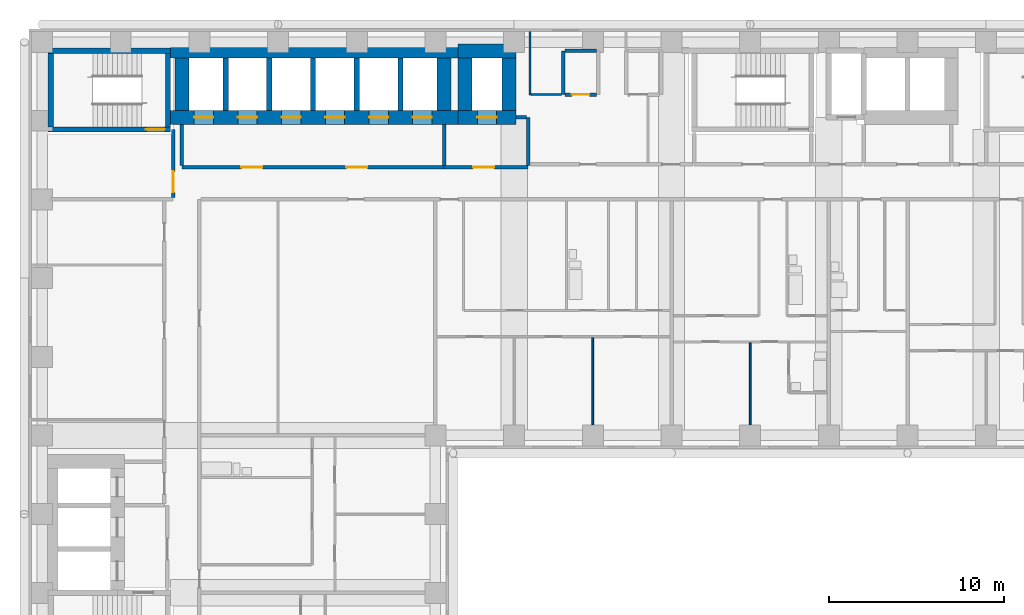
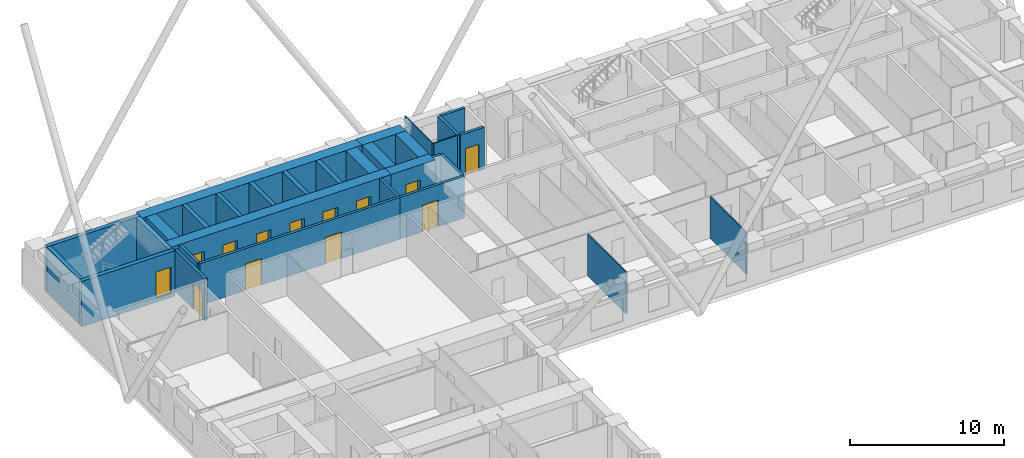
# One storey, part 6 of 13: 31 walls, 13 doors, 13 openings.
"""IFC4 building model written with IfcOpenShell, lengths in metres."""

import ifcopenshell
import ifcopenshell.guid

model = None  # the IFC model being written
_history = None  # IfcOwnerHistory: only IFC2X3 demands one
_inside = {}  # id of a spatial element -> (the spatial element, [elements in it])
_under = {}  # id of a project, library or spatial element -> (it, [spatial elements below it])
_declared = {}  # id of a project -> (the project, [libraries it declares])
_typed = {}  # id of a type object -> (the type object, [elements of that type])
_made_of = {}  # id of a material, layer set ... -> (it, [elements and type objects made of it])


def new_model(schema):
    """Start an empty IFC model of exactly this schema.

    Asked for "IFC4X3", IfcOpenShell would pick the latest addendum, in which some entities
    have other attributes; the version numbers below select the first issue.
    IFC2X3 requires an IfcOwnerHistory on every rooted entity: one is made here for all.
    """
    global model, _history
    if schema == "IFC4X3":
        model = ifcopenshell.file(schema_version=(4, 3, 0, 0))
    else:
        model = ifcopenshell.file(schema=schema)
    _inside.clear()
    _under.clear()
    _declared.clear()
    _typed.clear()
    _made_of.clear()
    _history = None
    if model.schema == "IFC2X3":
        org = make("IfcOrganization", Name="unknown")
        user = make(
            "IfcPersonAndOrganization",
            ThePerson=make("IfcPerson", FamilyName="unknown"),
            TheOrganization=org,
        )
        app = make(
            "IfcApplication",
            ApplicationDeveloper=org,
            Version="unknown",
            ApplicationFullName="unknown",
            ApplicationIdentifier="unknown",
        )
        _history = make(
            "IfcOwnerHistory",
            OwningUser=user,
            OwningApplication=app,
            ChangeAction="ADDED",
            CreationDate=0,
        )
    return model


def make(cls, **values):
    """One entity of the class cls with the attributes given. An attribute that is None is left unset."""
    return model.create_entity(
        cls, **{name: value for name, value in values.items() if value is not None}
    )


def rooted(cls, **values):
    """An entity with a GlobalId (a new one), such as an element, a storey or a relation."""
    return make(cls, GlobalId=ifcopenshell.guid.new(), OwnerHistory=_history, **values)


def si_unit(unit_type, name, prefix=None):
    """IfcSIUnit, for example si_unit("LENGTHUNIT", "METRE", prefix="MILLI")."""
    return make("IfcSIUnit", UnitType=unit_type, Prefix=prefix, Name=name)


def assignment(units):
    """IfcUnitAssignment: the units of a project."""
    return None if units is None else make("IfcUnitAssignment", Units=units)


def point(xyz):
    """IfcCartesianPoint."""
    return None if xyz is None else make("IfcCartesianPoint", Coordinates=xyz)


def direction(xyz):
    """IfcDirection."""
    return None if xyz is None else make("IfcDirection", DirectionRatios=xyz)


def frame(location, z_axis=None, x_axis=None):
    """IfcAxis2Placement3D, a coordinate frame: its origin and axes. An axis left out is left unset."""
    return make(
        "IfcAxis2Placement3D",
        Location=point(location),
        Axis=direction(z_axis),
        RefDirection=direction(x_axis),
    )


def frame_2d(location, x_axis=None):
    """IfcAxis2Placement2D, a coordinate frame in the plane: its origin and x axis."""
    return make(
        "IfcAxis2Placement2D", Location=point(location), RefDirection=direction(x_axis)
    )


def origin():
    """The frame at (0, 0, 0) with its axes left unset."""
    return frame((0.0, 0.0, 0.0))


def place(relative_to, where):
    """IfcLocalPlacement: puts the frame where relative to a parent placement (None: the world)."""
    return make(
        "IfcLocalPlacement", PlacementRelTo=relative_to, RelativePlacement=where
    )


def context(
    kind, dimensions, precision=None, world=None, true_north=None, identifier=None
):
    """IfcGeometricRepresentationContext, for example the 3D "Model" context."""
    return make(
        "IfcGeometricRepresentationContext",
        ContextIdentifier=identifier,
        ContextType=kind,
        CoordinateSpaceDimension=dimensions,
        Precision=precision,
        WorldCoordinateSystem=world,
        TrueNorth=true_north,
    )


def subcontext(parent, identifier, kind, view, scale=None):
    """IfcGeometricRepresentationSubContext, for example "Body" below "Model"."""
    return make(
        "IfcGeometricRepresentationSubContext",
        ContextIdentifier=identifier,
        ContextType=kind,
        ParentContext=parent,
        TargetScale=scale,
        TargetView=view,
    )


def project(units=None, contexts=None):
    """IfcProject with its units and contexts."""
    return rooted(
        "IfcProject",
        Name="project",
        RepresentationContexts=contexts,
        UnitsInContext=assignment(units),
    )


def spatial(cls, under=None, at=None, **own):
    """A site, building, storey or space (cls), placed at a placement, below another one or the project."""
    s = rooted(cls, ObjectPlacement=at, **own)
    if under is not None:
        _under.setdefault(under.id(), (under, []))[1].append(s)
    return s


def profile(cls, at=None, kind="AREA", **sizes):
    """A parametric profile (cls). Its sizes go by their IFC names, for example OverallWidth=200.0."""
    return make(cls, ProfileType=kind, Position=at, **sizes)


def rectangle(**sizes):
    """IfcRectangleProfileDef."""
    return profile("IfcRectangleProfileDef", **sizes)


def extrude(swept, where, along, depth):
    """IfcExtrudedAreaSolid: the profile swept, set in the frame where, extruded along a direction by depth."""
    return make(
        "IfcExtrudedAreaSolid",
        SweptArea=swept,
        Position=where,
        ExtrudedDirection=direction(along),
        Depth=depth,
    )


def shape(context_of_items, identifier, shape_type, items):
    """IfcShapeRepresentation: the items that make up one representation, for example the "Body"."""
    return make(
        "IfcShapeRepresentation",
        ContextOfItems=context_of_items,
        RepresentationIdentifier=identifier,
        RepresentationType=shape_type,
        Items=items,
    )


def material(Name=None, Category=None):
    """IfcMaterial."""
    return make("IfcMaterial", Name=Name, Category=Category)


def layer(
    of_material, thickness, ventilated=None, Name=None, Category=None, Priority=None
):
    """IfcMaterialLayer: one layer of a wall or slab, of a material (None: an air gap)."""
    return make(
        "IfcMaterialLayer",
        Material=of_material,
        LayerThickness=thickness,
        IsVentilated=ventilated,
        Name=Name,
        Category=Category,
        Priority=Priority,
    )


def layer_set(layers, Name=None):
    """IfcMaterialLayerSet."""
    return make("IfcMaterialLayerSet", MaterialLayers=layers, LayerSetName=Name)


def made_of(thing, what):
    """Note that an element or type object is made of a material, layer set ...; save() writes the relation."""
    if what is not None:
        _made_of.setdefault(what.id(), (what, []))[1].append(thing)
    return thing


def type_object(cls, material=None, **own):
    """A type object (cls), such as IfcWallType, which elements share."""
    return made_of(rooted(cls, **own), material)


def element(
    cls,
    number,
    at=None,
    inside=None,
    cuts=None,
    type_object=None,
    material=None,
    context=None,
    identifier="Body",
    shape_type=None,
    held_by="IfcProductDefinitionShape",
    body=None,
    shapes=None,
    **own,
):
    """One element of the class cls, such as IfcWall. Its Tag is "e" and its number.

    at: its placement. inside: the storey or other place that contains it. cuts: it is an
    opening in that element (IfcRelVoidsElement). A single representation is given by context,
    identifier, shape_type and body (its items); several are given by shapes. held_by: the class
    of the entity that holds the representations. save() writes the other relations.
    """
    e = rooted(cls, Tag="e%d" % number, ObjectPlacement=at, **own)
    if body is not None:
        shapes = [shape(context, identifier, shape_type, body)]
    if shapes is not None:
        e.Representation = make(held_by, Representations=shapes)
    if inside is not None:
        _inside.setdefault(inside.id(), (inside, []))[1].append(e)
    if cuts is not None:
        rooted(
            "IfcRelVoidsElement", RelatingBuildingElement=cuts, RelatedOpeningElement=e
        )
    if type_object is not None:
        _typed.setdefault(type_object.id(), (type_object, []))[1].append(e)
    return made_of(e, material)


def fill(opening, filler):
    """IfcRelFillsElement: the door or window that sits in an opening."""
    return rooted(
        "IfcRelFillsElement",
        RelatingOpeningElement=opening,
        RelatedBuildingElement=filler,
    )


def aggregate(whole, parts):
    """IfcRelAggregates: a whole, such as a stair, and the parts it consists of."""
    return rooted("IfcRelAggregates", RelatingObject=whole, RelatedObjects=parts)


def save(model, path):
    """Write the relations noted so far, then the file.

    IfcRelAggregates (storeys below a building ...), IfcRelContainedInSpatialStructure (elements
    in a storey), IfcRelDefinesByType, IfcRelAssociatesMaterial and IfcRelDeclares: one each for
    every whole, place, type object, material and project.
    """
    for whole, parts in _under.values():
        aggregate(whole, parts)
    for where, things in _inside.values():
        rooted(
            "IfcRelContainedInSpatialStructure",
            RelatedElements=things,
            RelatingStructure=where,
        )
    for kind, things in _typed.values():
        rooted("IfcRelDefinesByType", RelatedObjects=things, RelatingType=kind)
    for what, things in _made_of.values():
        rooted("IfcRelAssociatesMaterial", RelatedObjects=things, RelatingMaterial=what)
    for by, libraries in _declared.values():
        rooted("IfcRelDeclares", RelatingContext=by, RelatedDefinitions=libraries)
    model.write(path)


model = new_model("IFC4")

# Units and contexts
model_context = context("Model", 3, precision=1e-05, world=origin(), true_north=direction((0.0, 1.0)))
body_context = subcontext(model_context, "Body", "Model", "MODEL_VIEW")
ifc_project = project(units=[si_unit("LENGTHUNIT", "METRE"), si_unit("AREAUNIT", "SQUARE_METRE"), si_unit("VOLUMEUNIT", "CUBIC_METRE"), si_unit("PLANEANGLEUNIT", "RADIAN"), si_unit("MASSUNIT", "GRAM", prefix="KILO")], contexts=[model_context])

# Site, building, storey
site_placement = place(None, origin())
site = spatial("IfcSite", under=ifc_project, at=site_placement, CompositionType="ELEMENT")
building_placement = place(site_placement, origin())
building = spatial("IfcBuilding", under=site, at=building_placement, Name="Firuza Court", CompositionType="ELEMENT")
storey_placement = place(building_placement, frame((0.0, 0.0, 72.199951171875)))
storey = spatial("IfcBuildingStorey", under=building, at=storey_placement, Name="L17", CompositionType="ELEMENT", Elevation=72.199951171875)

# Wall, opening, door
ifc_material_1 = material(Name="Concrete C60/75", Category="concrete")
ifc_layer_1 = layer(ifc_material_1, 0.300048828125)
ifc_layer_set_1 = layer_set([ifc_layer_1], Name="Concrete C60/75")
wall_type_1 = type_object("IfcWallType", Name="Core wall 300 C60/75", PredefinedType="SHEAR", material=ifc_layer_set_1)
wall_1_placement = place(storey_placement, frame((0.35009765625, 53.5, -0.300048828125), z_axis=(0.0, 0.0, 1.0), x_axis=(1.0, 0.0, 0.0)))
wall_1 = element("IfcWall", 1, at=wall_1_placement, inside=storey, type_object=wall_type_1, Name="Core wall stair L17", PredefinedType="SHEAR", context=body_context, shape_type="SweptSolid", body=[
    extrude(rectangle(XDim=7.0, YDim=0.300048828125, at=frame_2d((3.5, 0.0))), origin(), (0.0, 0.0, 1.0), 3.60009765625),
])
opening_1_placement = place(wall_1_placement, frame((5.580078125, 0.0, 0.300048828125)))
opening_1 = element("IfcOpeningElement", 2, at=opening_1_placement, cuts=wall_1, Name="Opening D17016", PredefinedType="OPENING", context=body_context, shape_type="SweptSolid", body=[
    extrude(rectangle(XDim=1.10009765625, YDim=2.10009765625, at=frame_2d((0.550048828125, 1.050048828125))), frame((0.0, 0.162109375, 0.0), z_axis=(0.0, -1.0, 0.0), x_axis=(1.0, 0.0, 0.0)), (0.0, 0.0, 1.0), 0.323974609375),
])
ifc_material_2 = material(Name="Timber door leaf in hardwood frame", Category="wood")
door_type_1 = type_object("IfcDoorType", Name="Stair door 1100", OperationType="SINGLE_SWING_LEFT", PredefinedType="DOOR", material=ifc_material_2)
door_1_placement = place(opening_1_placement, origin())
door_1 = element("IfcDoor", 3, at=door_1_placement, inside=storey, type_object=door_type_1, Name="Stair door S3", OperationType="SINGLE_SWING_RIGHT", OverallHeight=2.10009765625, OverallWidth=1.10009765625, PredefinedType="DOOR", context=body_context, shape_type="SweptSolid", body=[
    extrude(rectangle(XDim=1.10009765625, YDim=2.10009765625, at=frame_2d((0.550048828125, 1.050048828125))), frame((0.0, 0.02490234375, 0.0), z_axis=(0.0, -1.0, 0.0), x_axis=(1.0, 0.0, 0.0)), (0.0, 0.0, 1.0), 0.050048828125),
])
fill(opening_1, door_1)

# Walls
wall_2_placement = place(storey_placement, frame((0.35009765625, 58.0, -0.300048828125), z_axis=(0.0, 0.0, 1.0), x_axis=(1.0, 0.0, 0.0)))
element("IfcWall", 4, at=wall_2_placement, inside=storey, type_object=wall_type_1, Name="Core wall stair L17", PredefinedType="SHEAR", context=body_context, shape_type="SweptSolid", body=[
    extrude(rectangle(XDim=7.0, YDim=0.300048828125, at=frame_2d((3.5, 0.0))), origin(), (0.0, 0.0, 1.0), 3.60009765625),
])
for number, where, z_axis, x_axis, name in (
    (5, (0.5, 53.64990234375, -0.300048828125), (0.0, 0.0, 1.0), (0.0, 1.0, 0.0), "Core wall stair L17"),
    (6, (7.199951171875, 53.64990234375, -0.300048828125), (0.0, 0.0, 1.0), (0.0, 1.0, 0.0), "Core wall stair L17"),
):
    element("IfcWall", number, at=place(storey_placement, frame(where, z_axis=z_axis, x_axis=x_axis)), inside=storey, type_object=wall_type_1, Name=name, PredefinedType="SHEAR", context=body_context, shape_type="SweptSolid", body=[
        extrude(rectangle(XDim=4.2001953125, YDim=0.300048828125, at=frame_2d((2.10009765625, 0.0))), origin(), (0.0, 0.0, 1.0), 3.60009765625),
    ])
for number, where, z_axis, x_axis, name in (
    (7, (10.5, 54.60009765625, -0.300048828125), (0.0, 0.0, 1.0), (0.0, 1.0, 0.0), "Core wall lift shaft L17"),
    (8, (13.0, 54.60009765625, -0.300048828125), (0.0, 0.0, 1.0), (0.0, 1.0, 0.0), "Core wall lift shaft L17"),
    (9, (15.5, 54.60009765625, -0.300048828125), (0.0, 0.0, 1.0), (0.0, 1.0, 0.0), "Core wall lift shaft L17"),
    (10, (18.0, 54.60009765625, -0.300048828125), (0.0, 0.0, 1.0), (0.0, 1.0, 0.0), "Core wall lift shaft L17"),
    (11, (20.5, 54.60009765625, -0.300048828125), (0.0, 0.0, 1.0), (0.0, 1.0, 0.0), "Core wall lift shaft L17"),
):
    element("IfcWall", number, at=place(storey_placement, frame(where, z_axis=z_axis, x_axis=x_axis)), inside=storey, type_object=wall_type_1, Name=name, PredefinedType="SHEAR", context=body_context, shape_type="SweptSolid", body=[
        extrude(rectangle(XDim=3.0, YDim=0.300048828125, at=frame_2d((1.5, 0.0))), origin(), (0.0, 0.0, 1.0), 3.60009765625),
    ])

# Wall, openings, doors
ifc_layer_2 = layer(ifc_material_1, 0.800048828125)
ifc_layer_set_2 = layer_set([ifc_layer_2], Name="Concrete C60/75")
wall_type_2 = type_object("IfcWallType", Name="Core wall 800 C60/75", PredefinedType="SHEAR", material=ifc_layer_set_2)
wall_3_placement = place(storey_placement, frame((7.35009765625, 54.199951171875, -0.300048828125), z_axis=(0.0, 0.0, 1.0), x_axis=(1.0, 0.0, 0.0)))
wall_3 = element("IfcWall", 12, at=wall_3_placement, inside=storey, type_object=wall_type_2, Name="Core wall lift shaft L17", PredefinedType="SHEAR", context=body_context, shape_type="SweptSolid", body=[
    extrude(rectangle(XDim=16.449951171875, YDim=0.800048828125, at=frame_2d((8.22509765625, 0.0))), origin(), (0.0, 0.0, 1.0), 3.60009765625),
])
opening_2_placement = place(wall_3_placement, frame((1.35009765625, 0.0, 0.300048828125)))
opening_2 = element("IfcOpeningElement", 13, at=opening_2_placement, cuts=wall_3, Name="Opening LD-LB1-17", PredefinedType="OPENING", context=body_context, shape_type="SweptSolid", body=[
    extrude(rectangle(XDim=1.10009765625, YDim=2.10009765625, at=frame_2d((0.550048828125, 1.050048828125))), frame((0.0, 0.412109375, 0.0), z_axis=(0.0, -1.0, 0.0), x_axis=(1.0, 0.0, 0.0)), (0.0, 0.0, 1.0), 0.823974609375),
])
opening_3_placement = place(wall_3_placement, frame((3.85009765625, 0.0, 0.300048828125)))
opening_3 = element("IfcOpeningElement", 14, at=opening_3_placement, cuts=wall_3, Name="Opening LD-LB2-17", PredefinedType="OPENING", context=body_context, shape_type="SweptSolid", body=[
    extrude(rectangle(XDim=1.10009765625, YDim=2.10009765625, at=frame_2d((0.550048828125, 1.050048828125))), frame((0.0, 0.412109375, 0.0), z_axis=(0.0, -1.0, 0.0), x_axis=(1.0, 0.0, 0.0)), (0.0, 0.0, 1.0), 0.823974609375),
])
opening_4_placement = place(wall_3_placement, frame((6.35009765625, 0.0, 0.300048828125)))
opening_4 = element("IfcOpeningElement", 15, at=opening_4_placement, cuts=wall_3, Name="Opening LD-LB3-17", PredefinedType="OPENING", context=body_context, shape_type="SweptSolid", body=[
    extrude(rectangle(XDim=1.10009765625, YDim=2.10009765625, at=frame_2d((0.550048828125, 1.050048828125))), frame((0.0, 0.412109375, 0.0), z_axis=(0.0, -1.0, 0.0), x_axis=(1.0, 0.0, 0.0)), (0.0, 0.0, 1.0), 0.823974609375),
])
opening_5_placement = place(wall_3_placement, frame((8.85009765625, 0.0, 0.300048828125)))
opening_5 = element("IfcOpeningElement", 16, at=opening_5_placement, cuts=wall_3, Name="Opening LD-LB4-17", PredefinedType="OPENING", context=body_context, shape_type="SweptSolid", body=[
    extrude(rectangle(XDim=1.10009765625, YDim=2.10009765625, at=frame_2d((0.550048828125, 1.050048828125))), frame((0.0, 0.412109375, 0.0), z_axis=(0.0, -1.0, 0.0), x_axis=(1.0, 0.0, 0.0)), (0.0, 0.0, 1.0), 0.823974609375),
])
opening_6_placement = place(wall_3_placement, frame((11.35009765625, 0.0, 0.300048828125)))
opening_6 = element("IfcOpeningElement", 17, at=opening_6_placement, cuts=wall_3, Name="Opening LD-LB5-17", PredefinedType="OPENING", context=body_context, shape_type="SweptSolid", body=[
    extrude(rectangle(XDim=1.10009765625, YDim=2.10009765625, at=frame_2d((0.550048828125, 1.050048828125))), frame((0.0, 0.412109375, 0.0), z_axis=(0.0, -1.0, 0.0), x_axis=(1.0, 0.0, 0.0)), (0.0, 0.0, 1.0), 0.823974609375),
])
opening_7_placement = place(wall_3_placement, frame((13.85009765625, 0.0, 0.300048828125)))
opening_7 = element("IfcOpeningElement", 18, at=opening_7_placement, cuts=wall_3, Name="Opening LD-LB6-17", PredefinedType="OPENING", context=body_context, shape_type="SweptSolid", body=[
    extrude(rectangle(XDim=1.10009765625, YDim=2.10009765625, at=frame_2d((0.550048828125, 1.050048828125))), frame((0.0, 0.412109375, 0.0), z_axis=(0.0, -1.0, 0.0), x_axis=(1.0, 0.0, 0.0)), (0.0, 0.0, 1.0), 0.823974609375),
])
ifc_material_3 = material(Name="Stainless steel 1.4301 door leaf", Category="steel")
door_type_2 = type_object("IfcDoorType", Name="Lift landing door 1100", OperationType="SLIDING_TO_LEFT", PredefinedType="DOOR", material=ifc_material_3)
door_2_placement = place(opening_2_placement, origin())
door_2 = element("IfcDoor", 19, at=door_2_placement, inside=storey, type_object=door_type_2, Name="Landing door LB1", OperationType="SLIDING_TO_LEFT", OverallHeight=2.10009765625, OverallWidth=1.10009765625, PredefinedType="DOOR", context=body_context, shape_type="SweptSolid", body=[
    extrude(rectangle(XDim=1.10009765625, YDim=2.10009765625, at=frame_2d((0.550048828125, 1.050048828125))), frame((0.0, 0.02490234375, 0.0), z_axis=(0.0, -1.0, 0.0), x_axis=(1.0, 0.0, 0.0)), (0.0, 0.0, 1.0), 0.050048828125),
])
fill(opening_2, door_2)
door_3_placement = place(opening_3_placement, origin())
door_3 = element("IfcDoor", 20, at=door_3_placement, inside=storey, type_object=door_type_2, Name="Landing door LB2", OperationType="SLIDING_TO_LEFT", OverallHeight=2.10009765625, OverallWidth=1.10009765625, PredefinedType="DOOR", context=body_context, shape_type="SweptSolid", body=[
    extrude(rectangle(XDim=1.10009765625, YDim=2.10009765625, at=frame_2d((0.550048828125, 1.050048828125))), frame((0.0, 0.02490234375, 0.0), z_axis=(0.0, -1.0, 0.0), x_axis=(1.0, 0.0, 0.0)), (0.0, 0.0, 1.0), 0.050048828125),
])
fill(opening_3, door_3)
door_4_placement = place(opening_4_placement, origin())
door_4 = element("IfcDoor", 21, at=door_4_placement, inside=storey, type_object=door_type_2, Name="Landing door LB3", OperationType="SLIDING_TO_LEFT", OverallHeight=2.10009765625, OverallWidth=1.10009765625, PredefinedType="DOOR", context=body_context, shape_type="SweptSolid", body=[
    extrude(rectangle(XDim=1.10009765625, YDim=2.10009765625, at=frame_2d((0.550048828125, 1.050048828125))), frame((0.0, 0.02490234375, 0.0), z_axis=(0.0, -1.0, 0.0), x_axis=(1.0, 0.0, 0.0)), (0.0, 0.0, 1.0), 0.050048828125),
])
fill(opening_4, door_4)
door_5_placement = place(opening_5_placement, origin())
door_5 = element("IfcDoor", 22, at=door_5_placement, inside=storey, type_object=door_type_2, Name="Landing door LB4", OperationType="SLIDING_TO_LEFT", OverallHeight=2.10009765625, OverallWidth=1.10009765625, PredefinedType="DOOR", context=body_context, shape_type="SweptSolid", body=[
    extrude(rectangle(XDim=1.10009765625, YDim=2.10009765625, at=frame_2d((0.550048828125, 1.050048828125))), frame((0.0, 0.02490234375, 0.0), z_axis=(0.0, -1.0, 0.0), x_axis=(1.0, 0.0, 0.0)), (0.0, 0.0, 1.0), 0.050048828125),
])
fill(opening_5, door_5)
door_6_placement = place(opening_6_placement, origin())
door_6 = element("IfcDoor", 23, at=door_6_placement, inside=storey, type_object=door_type_2, Name="Landing door LB5", OperationType="SLIDING_TO_LEFT", OverallHeight=2.10009765625, OverallWidth=1.10009765625, PredefinedType="DOOR", context=body_context, shape_type="SweptSolid", body=[
    extrude(rectangle(XDim=1.10009765625, YDim=2.10009765625, at=frame_2d((0.550048828125, 1.050048828125))), frame((0.0, 0.02490234375, 0.0), z_axis=(0.0, -1.0, 0.0), x_axis=(1.0, 0.0, 0.0)), (0.0, 0.0, 1.0), 0.050048828125),
])
fill(opening_6, door_6)
door_7_placement = place(opening_7_placement, origin())
door_7 = element("IfcDoor", 24, at=door_7_placement, inside=storey, type_object=door_type_2, Name="Landing door LB6", OperationType="SLIDING_TO_LEFT", OverallHeight=2.10009765625, OverallWidth=1.10009765625, PredefinedType="DOOR", context=body_context, shape_type="SweptSolid", body=[
    extrude(rectangle(XDim=1.10009765625, YDim=2.10009765625, at=frame_2d((0.550048828125, 1.050048828125))), frame((0.0, 0.02490234375, 0.0), z_axis=(0.0, -1.0, 0.0), x_axis=(1.0, 0.0, 0.0)), (0.0, 0.0, 1.0), 0.050048828125),
])
fill(opening_7, door_7)

# Walls
wall_4_placement = place(storey_placement, frame((7.35009765625, 58.0, -0.300048828125), z_axis=(0.0, 0.0, 1.0), x_axis=(1.0, 0.0, 0.0)))
element("IfcWall", 25, at=wall_4_placement, inside=storey, type_object=wall_type_2, Name="Core wall lift shaft L17", PredefinedType="SHEAR", context=body_context, shape_type="SweptSolid", body=[
    extrude(rectangle(XDim=16.449951171875, YDim=0.800048828125, at=frame_2d((8.22509765625, 0.0))), origin(), (0.0, 0.0, 1.0), 3.60009765625),
])
for number, where, z_axis, x_axis, name in (
    (26, (8.0, 54.60009765625, -0.300048828125), (0.0, 0.0, 1.0), (0.0, 1.0, 0.0), "Core wall lift shaft L17"),
    (27, (23.0, 54.60009765625, -0.300048828125), (0.0, 0.0, 1.0), (0.0, 1.0, 0.0), "Core wall lift shaft L17"),
):
    element("IfcWall", number, at=place(storey_placement, frame(where, z_axis=z_axis, x_axis=x_axis)), inside=storey, type_object=wall_type_2, Name=name, PredefinedType="SHEAR", context=body_context, shape_type="SweptSolid", body=[
        extrude(rectangle(XDim=3.0, YDim=0.800048828125, at=frame_2d((1.5, 0.0))), origin(), (0.0, 0.0, 1.0), 3.60009765625),
    ])

# Wall, opening, door
wall_5_placement = place(storey_placement, frame((23.800048828125, 54.199951171875, -0.300048828125), z_axis=(0.0, 0.0, 1.0), x_axis=(1.0, 0.0, 0.0)))
wall_5 = element("IfcWall", 28, at=wall_5_placement, inside=storey, type_object=wall_type_2, Name="Core wall lift shaft L17", PredefinedType="SHEAR", context=body_context, shape_type="SweptSolid", body=[
    extrude(rectangle(XDim=3.300048828125, YDim=0.800048828125, at=frame_2d((1.64990234375, 0.0))), origin(), (0.0, 0.0, 1.0), 3.60009765625),
])
opening_8_placement = place(wall_5_placement, frame((1.10009765625, 0.0, 0.300048828125)))
opening_8 = element("IfcOpeningElement", 29, at=opening_8_placement, cuts=wall_5, Name="Opening LD-FL3-17", PredefinedType="OPENING", context=body_context, shape_type="SweptSolid", body=[
    extrude(rectangle(XDim=1.10009765625, YDim=2.10009765625, at=frame_2d((0.550048828125, 1.050048828125))), frame((0.0, 0.412109375, 0.0), z_axis=(0.0, -1.0, 0.0), x_axis=(1.0, 0.0, 0.0)), (0.0, 0.0, 1.0), 0.823974609375),
])
door_8_placement = place(opening_8_placement, origin())
door_8 = element("IfcDoor", 30, at=door_8_placement, inside=storey, type_object=door_type_2, Name="Landing door FL3", OperationType="SLIDING_TO_LEFT", OverallHeight=2.10009765625, OverallWidth=1.10009765625, PredefinedType="DOOR", context=body_context, shape_type="SweptSolid", body=[
    extrude(rectangle(XDim=1.10009765625, YDim=2.10009765625, at=frame_2d((0.550048828125, 1.050048828125))), frame((0.0, 0.02490234375, 0.0), z_axis=(0.0, -1.0, 0.0), x_axis=(1.0, 0.0, 0.0)), (0.0, 0.0, 1.0), 0.050048828125),
])
fill(opening_8, door_8)

# Walls
wall_6_placement = place(storey_placement, frame((23.800048828125, 58.0, -0.300048828125), z_axis=(0.0, 0.0, 1.0), x_axis=(1.0, 0.0, 0.0)))
element("IfcWall", 31, at=wall_6_placement, inside=storey, type_object=wall_type_2, Name="Core wall lift shaft L17", PredefinedType="SHEAR", context=body_context, shape_type="SweptSolid", body=[
    extrude(rectangle(XDim=3.300048828125, YDim=0.800048828125, at=frame_2d((1.64990234375, 0.0))), origin(), (0.0, 0.0, 1.0), 3.60009765625),
])
for number, where, z_axis, x_axis, name in (
    (32, (24.199951171875, 54.60009765625, -0.300048828125), (0.0, 0.0, 1.0), (0.0, 1.0, 0.0), "Core wall lift shaft L17"),
    (33, (26.699951171875, 54.60009765625, -0.300048828125), (0.0, 0.0, 1.0), (0.0, 1.0, 0.0), "Core wall lift shaft L17"),
):
    element("IfcWall", number, at=place(storey_placement, frame(where, z_axis=z_axis, x_axis=x_axis)), inside=storey, type_object=wall_type_2, Name=name, PredefinedType="SHEAR", context=body_context, shape_type="SweptSolid", body=[
        extrude(rectangle(XDim=3.0, YDim=0.800048828125, at=frame_2d((1.5, 0.0))), origin(), (0.0, 0.0, 1.0), 3.60009765625),
    ])
ifc_material_4 = material(Name="Timber stud partition, plasterboard both sides", Category="wood")
ifc_layer_3 = layer(ifc_material_4, 0.10009765625)
ifc_layer_set_3 = layer_set([ifc_layer_3], Name="Timber stud partition, plasterboard both sides")
wall_type_3 = type_object("IfcWallType", Name="Partition wall 100", PredefinedType="PARTITIONING", material=ifc_layer_set_3)
wall_7_placement = place(storey_placement, frame((31.5, 36.60009765625, 0.0), z_axis=(0.0, 0.0, 1.0), x_axis=(0.0, 1.0, 0.0)))
element("IfcWall", 34, at=wall_7_placement, inside=storey, type_object=wall_type_3, Name="Partition wall 100 L17", PredefinedType="PARTITIONING", context=body_context, shape_type="SweptSolid", body=[
    extrude(rectangle(XDim=5.0, YDim=0.10009765625, at=frame_2d((2.5, 0.0))), origin(), (0.0, 0.0, 1.0), 3.300048828125),
])
wall_8_placement = place(storey_placement, frame((40.5, 36.60009765625, 0.0), z_axis=(0.0, 0.0, 1.0), x_axis=(0.0, 1.0, 0.0)))
element("IfcWall", 35, at=wall_8_placement, inside=storey, type_object=wall_type_3, Name="Partition wall 100 L17", PredefinedType="PARTITIONING", context=body_context, shape_type="SweptSolid", body=[
    extrude(rectangle(XDim=4.699951171875, YDim=0.10009765625, at=frame_2d((2.35009765625, 0.0))), origin(), (0.0, 0.0, 1.0), 3.300048828125),
])
wall_9_placement = place(storey_placement, frame((27.89990234375, 55.5, 0.0), z_axis=(0.0, 0.0, 1.0), x_axis=(0.0, 1.0, 0.0)))
element("IfcWall", 36, at=wall_9_placement, inside=storey, type_object=wall_type_3, Name="Partition wall 100 L17", PredefinedType="PARTITIONING", context=body_context, shape_type="SweptSolid", body=[
    extrude(rectangle(XDim=3.60009765625, YDim=0.10009765625, at=frame_2d((1.800048828125, 0.0))), origin(), (0.0, 0.0, 1.0), 3.300048828125),
])
wall_10_placement = place(storey_placement, frame((27.949951171875, 55.5, 0.0), z_axis=(0.0, 0.0, 1.0), x_axis=(1.0, 0.0, 0.0)))
element("IfcWall", 37, at=wall_10_placement, inside=storey, type_object=wall_type_3, Name="Partition wall 100 L17", PredefinedType="PARTITIONING", context=body_context, shape_type="SweptSolid", body=[
    extrude(rectangle(XDim=1.75, YDim=0.10009765625, at=frame_2d((0.875, 0.0))), origin(), (0.0, 0.0, 1.0), 3.300048828125),
])
ifc_material_5 = material(Name="Blockwork, fire-rated", Category="masonry")
ifc_layer_4 = layer(ifc_material_5, 0.199951171875)
ifc_layer_set_4 = layer_set([ifc_layer_4], Name="Blockwork, fire-rated")
wall_type_4 = type_object("IfcWallType", Name="Plant room wall 200", PredefinedType="PARTITIONING", material=ifc_layer_set_4)
wall_11_placement = place(storey_placement, frame((29.800048828125, 55.5, 0.0), z_axis=(0.0, 0.0, 1.0), x_axis=(0.0, 1.0, 0.0)))
element("IfcWall", 38, at=wall_11_placement, inside=storey, type_object=wall_type_4, Name="Plant room wall 200 L17", PredefinedType="PARTITIONING", context=body_context, shape_type="SweptSolid", body=[
    extrude(rectangle(XDim=2.5, YDim=0.199951171875, at=frame_2d((1.25, 0.0))), origin(), (0.0, 0.0, 1.0), 3.300048828125),
])

# Wall, opening, door
wall_12_placement = place(storey_placement, frame((29.89990234375, 55.5, 0.0), z_axis=(0.0, 0.0, 1.0), x_axis=(1.0, 0.0, 0.0)))
wall_12 = element("IfcWall", 39, at=wall_12_placement, inside=storey, type_object=wall_type_4, Name="Plant room wall 200 L17", PredefinedType="PARTITIONING", context=body_context, shape_type="SweptSolid", body=[
    extrude(rectangle(XDim=1.800048828125, YDim=0.199951171875, at=frame_2d((0.89990234375, 0.0))), origin(), (0.0, 0.0, 1.0), 3.300048828125),
])
opening_9_placement = place(wall_12_placement, frame((0.39990234375, 0.0, 0.0)))
opening_9 = element("IfcOpeningElement", 40, at=opening_9_placement, cuts=wall_12, Name="Opening D17080", PredefinedType="OPENING", context=body_context, shape_type="SweptSolid", body=[
    extrude(rectangle(XDim=1.0, YDim=2.10009765625, at=frame_2d((0.5, 1.050048828125))), frame((0.0, 0.11181640625, 0.0), z_axis=(0.0, -1.0, 0.0), x_axis=(1.0, 0.0, 0.0)), (0.0, 0.0, 1.0), 0.223876953125),
])
ifc_material_6 = material(Name="Timber door leaf in hardwood frame", Category="wood")
door_type_3 = type_object("IfcDoorType", Name="Riser door 1000", OperationType="SINGLE_SWING_LEFT", PredefinedType="DOOR", material=ifc_material_6)
door_9_placement = place(opening_9_placement, origin())
door_9 = element("IfcDoor", 41, at=door_9_placement, inside=storey, type_object=door_type_3, Name="Electrical riser door", OperationType="SINGLE_SWING_LEFT", OverallHeight=2.10009765625, OverallWidth=1.0, PredefinedType="DOOR", context=body_context, shape_type="SweptSolid", body=[
    extrude(rectangle(XDim=1.0, YDim=2.10009765625, at=frame_2d((0.5, 1.050048828125))), frame((0.0, 0.02490234375, 0.0), z_axis=(0.0, -1.0, 0.0), x_axis=(1.0, 0.0, 0.0)), (0.0, 0.0, 1.0), 0.050048828125),
])
fill(opening_9, door_9)

# Wall
wall_13_placement = place(storey_placement, frame((29.89990234375, 58.0, 0.0), z_axis=(0.0, 0.0, 1.0), x_axis=(1.0, 0.0, 0.0)))
element("IfcWall", 42, at=wall_13_placement, inside=storey, type_object=wall_type_4, Name="Plant room wall 200 L17", PredefinedType="PARTITIONING", context=body_context, shape_type="SweptSolid", body=[
    extrude(rectangle(XDim=1.800048828125, YDim=0.199951171875, at=frame_2d((0.89990234375, 0.0))), origin(), (0.0, 0.0, 1.0), 3.300048828125),
])

# Wall, openings, doors
ifc_layer_5 = layer(ifc_material_5, 0.199951171875)
ifc_layer_set_5 = layer_set([ifc_layer_5], Name="Blockwork, fire-rated")
wall_type_5 = type_object("IfcWallType", Name="Shaft wall 200", PredefinedType="PARTITIONING", material=ifc_layer_set_5)
wall_14_placement = place(storey_placement, frame((8.0, 51.35009765625, 0.0), z_axis=(0.0, 0.0, 1.0), x_axis=(1.0, 0.0, 0.0)))
wall_14 = element("IfcWall", 43, at=wall_14_placement, inside=storey, type_object=wall_type_5, Name="Shaft wall 200 L17", PredefinedType="PARTITIONING", context=body_context, shape_type="SweptSolid", body=[
    extrude(rectangle(XDim=15.0, YDim=0.199951171875, at=frame_2d((7.5, 0.0))), origin(), (0.0, 0.0, 1.0), 3.300048828125),
])
opening_10_placement = place(wall_14_placement, frame((3.39990234375, 0.0, 0.0)))
opening_10 = element("IfcOpeningElement", 44, at=opening_10_placement, cuts=wall_14, Name="Opening D17004", PredefinedType="OPENING", context=body_context, shape_type="SweptSolid", body=[
    extrude(rectangle(XDim=1.199951171875, YDim=2.10009765625, at=frame_2d((0.60009765625, 1.050048828125))), frame((0.0, 0.11181640625, 0.0), z_axis=(0.0, -1.0, 0.0), x_axis=(1.0, 0.0, 0.0)), (0.0, 0.0, 1.0), 0.223876953125),
])
opening_11_placement = place(wall_14_placement, frame((9.39990234375, 0.0, 0.0)))
opening_11 = element("IfcOpeningElement", 45, at=opening_11_placement, cuts=wall_14, Name="Opening D17005", PredefinedType="OPENING", context=body_context, shape_type="SweptSolid", body=[
    extrude(rectangle(XDim=1.199951171875, YDim=2.10009765625, at=frame_2d((0.60009765625, 1.050048828125))), frame((0.0, 0.11181640625, 0.0), z_axis=(0.0, -1.0, 0.0), x_axis=(1.0, 0.0, 0.0)), (0.0, 0.0, 1.0), 0.223876953125),
])
ifc_material_7 = material(Name="Timber door leaf in hardwood frame", Category="wood")
door_type_4 = type_object("IfcDoorType", Name="Lobby door 1200", OperationType="SINGLE_SWING_LEFT", PredefinedType="DOOR", material=ifc_material_7)
door_10_placement = place(opening_10_placement, origin())
door_10 = element("IfcDoor", 46, at=door_10_placement, inside=storey, type_object=door_type_4, Name="Lobby door", OperationType="SINGLE_SWING_LEFT", OverallHeight=2.10009765625, OverallWidth=1.199951171875, PredefinedType="DOOR", context=body_context, shape_type="SweptSolid", body=[
    extrude(rectangle(XDim=1.199951171875, YDim=2.10009765625, at=frame_2d((0.60009765625, 1.050048828125))), frame((0.0, 0.02490234375, 0.0), z_axis=(0.0, -1.0, 0.0), x_axis=(1.0, 0.0, 0.0)), (0.0, 0.0, 1.0), 0.050048828125),
])
fill(opening_10, door_10)
door_11_placement = place(opening_11_placement, origin())
door_11 = element("IfcDoor", 47, at=door_11_placement, inside=storey, type_object=door_type_4, Name="Lobby door", OperationType="SINGLE_SWING_RIGHT", OverallHeight=2.10009765625, OverallWidth=1.199951171875, PredefinedType="DOOR", context=body_context, shape_type="SweptSolid", body=[
    extrude(rectangle(XDim=1.199951171875, YDim=2.10009765625, at=frame_2d((0.60009765625, 1.050048828125))), frame((0.0, 0.02490234375, 0.0), z_axis=(0.0, -1.0, 0.0), x_axis=(1.0, 0.0, 0.0)), (0.0, 0.0, 1.0), 0.050048828125),
])
fill(opening_11, door_11)

# Walls
for number, where, z_axis, x_axis, name in (
    (48, (23.0, 51.449951171875, 0.0), (0.0, 0.0, 1.0), (0.0, 1.0, 0.0), "Shaft wall 200 L17"),
    (49, (8.0, 51.449951171875, 0.0), (0.0, 0.0, 1.0), (0.0, 1.0, 0.0), "Shaft wall 200 L17"),
):
    element("IfcWall", number, at=place(storey_placement, frame(where, z_axis=z_axis, x_axis=x_axis)), inside=storey, type_object=wall_type_5, Name=name, PredefinedType="PARTITIONING", context=body_context, shape_type="SweptSolid", body=[
        extrude(rectangle(XDim=2.330078125, YDim=0.199951171875, at=frame_2d((1.1650390625, 0.0))), origin(), (0.0, 0.0, 1.0), 3.300048828125),
    ])

# Wall, opening, door
wall_15_placement = place(storey_placement, frame((23.0, 51.35009765625, 0.0), z_axis=(0.0, 0.0, 1.0), x_axis=(1.0, 0.0, 0.0)))
wall_15 = element("IfcWall", 50, at=wall_15_placement, inside=storey, type_object=wall_type_5, Name="Shaft wall 200 L17", PredefinedType="PARTITIONING", context=body_context, shape_type="SweptSolid", body=[
    extrude(rectangle(XDim=4.800048828125, YDim=0.199951171875, at=frame_2d((2.39990234375, 0.0))), origin(), (0.0, 0.0, 1.0), 3.300048828125),
])
opening_12_placement = place(wall_15_placement, frame((1.64990234375, 0.0, 0.0)))
opening_12 = element("IfcOpeningElement", 51, at=opening_12_placement, cuts=wall_15, Name="Opening D17003", PredefinedType="OPENING", context=body_context, shape_type="SweptSolid", body=[
    extrude(rectangle(XDim=1.199951171875, YDim=2.10009765625, at=frame_2d((0.60009765625, 1.050048828125))), frame((0.0, 0.11181640625, 0.0), z_axis=(0.0, -1.0, 0.0), x_axis=(1.0, 0.0, 0.0)), (0.0, 0.0, 1.0), 0.223876953125),
])
door_12_placement = place(opening_12_placement, origin())
door_12 = element("IfcDoor", 52, at=door_12_placement, inside=storey, type_object=door_type_4, Name="Fire-fighting lobby door", OperationType="SINGLE_SWING_LEFT", OverallHeight=2.10009765625, OverallWidth=1.199951171875, PredefinedType="DOOR", context=body_context, shape_type="SweptSolid", body=[
    extrude(rectangle(XDim=1.199951171875, YDim=2.10009765625, at=frame_2d((0.60009765625, 1.050048828125))), frame((0.0, 0.02490234375, 0.0), z_axis=(0.0, -1.0, 0.0), x_axis=(1.0, 0.0, 0.0)), (0.0, 0.0, 1.0), 0.050048828125),
])
fill(opening_12, door_12)

# Walls
wall_16_placement = place(storey_placement, frame((27.800048828125, 51.449951171875, 0.0), z_axis=(0.0, 0.0, 1.0), x_axis=(0.0, 1.0, 0.0)))
element("IfcWall", 53, at=wall_16_placement, inside=storey, type_object=wall_type_5, Name="Shaft wall 200 L17", PredefinedType="PARTITIONING", context=body_context, shape_type="SweptSolid", body=[
    extrude(rectangle(XDim=2.75, YDim=0.199951171875, at=frame_2d((1.375, 0.0))), origin(), (0.0, 0.0, 1.0), 3.300048828125),
])
wall_17_placement = place(storey_placement, frame((27.10009765625, 54.199951171875, 0.0), z_axis=(0.0, 0.0, 1.0), x_axis=(1.0, 0.0, 0.0)))
element("IfcWall", 54, at=wall_17_placement, inside=storey, type_object=wall_type_5, Name="Shaft wall 200 L17", PredefinedType="PARTITIONING", context=body_context, shape_type="SweptSolid", body=[
    extrude(rectangle(XDim=0.599853515625, YDim=0.199951171875, at=frame_2d((0.2998046875, 0.0))), origin(), (0.0, 0.0, 1.0), 3.300048828125),
])

# Wall, opening, door
wall_18_placement = place(storey_placement, frame((7.5, 49.60009765625, 0.0), z_axis=(0.0, 0.0, 1.0), x_axis=(0.0, 1.0, 0.0)))
wall_18 = element("IfcWall", 55, at=wall_18_placement, inside=storey, type_object=wall_type_5, Name="Shaft wall 200 L17", PredefinedType="PARTITIONING", context=body_context, shape_type="SweptSolid", body=[
    extrude(rectangle(XDim=3.89990234375, YDim=0.199951171875, at=frame_2d((1.949951171875, 0.0))), origin(), (0.0, 0.0, 1.0), 3.300048828125),
])
opening_13_placement = place(wall_18_placement, frame((0.300048828125, 0.0, 0.0)))
opening_13 = element("IfcOpeningElement", 56, at=opening_13_placement, cuts=wall_18, Name="Opening D17001", PredefinedType="OPENING", context=body_context, shape_type="SweptSolid", body=[
    extrude(rectangle(XDim=1.199951171875, YDim=2.10009765625, at=frame_2d((0.60009765625, 1.050048828125))), frame((0.0, 0.11181640625, 0.0), z_axis=(0.0, -1.0, 0.0), x_axis=(1.0, 0.0, 0.0)), (0.0, 0.0, 1.0), 0.223876953125),
])
door_13_placement = place(opening_13_placement, origin())
door_13 = element("IfcDoor", 57, at=door_13_placement, inside=storey, type_object=door_type_4, Name="Lobby door", OperationType="SINGLE_SWING_LEFT", OverallHeight=2.10009765625, OverallWidth=1.199951171875, PredefinedType="DOOR", context=body_context, shape_type="SweptSolid", body=[
    extrude(rectangle(XDim=1.199951171875, YDim=2.10009765625, at=frame_2d((0.60009765625, 1.050048828125))), frame((0.0, 0.02490234375, 0.0), z_axis=(0.0, -1.0, 0.0), x_axis=(1.0, 0.0, 0.0)), (0.0, 0.0, 1.0), 0.050048828125),
])
fill(opening_13, door_13)

save(model, "model.ifc")
